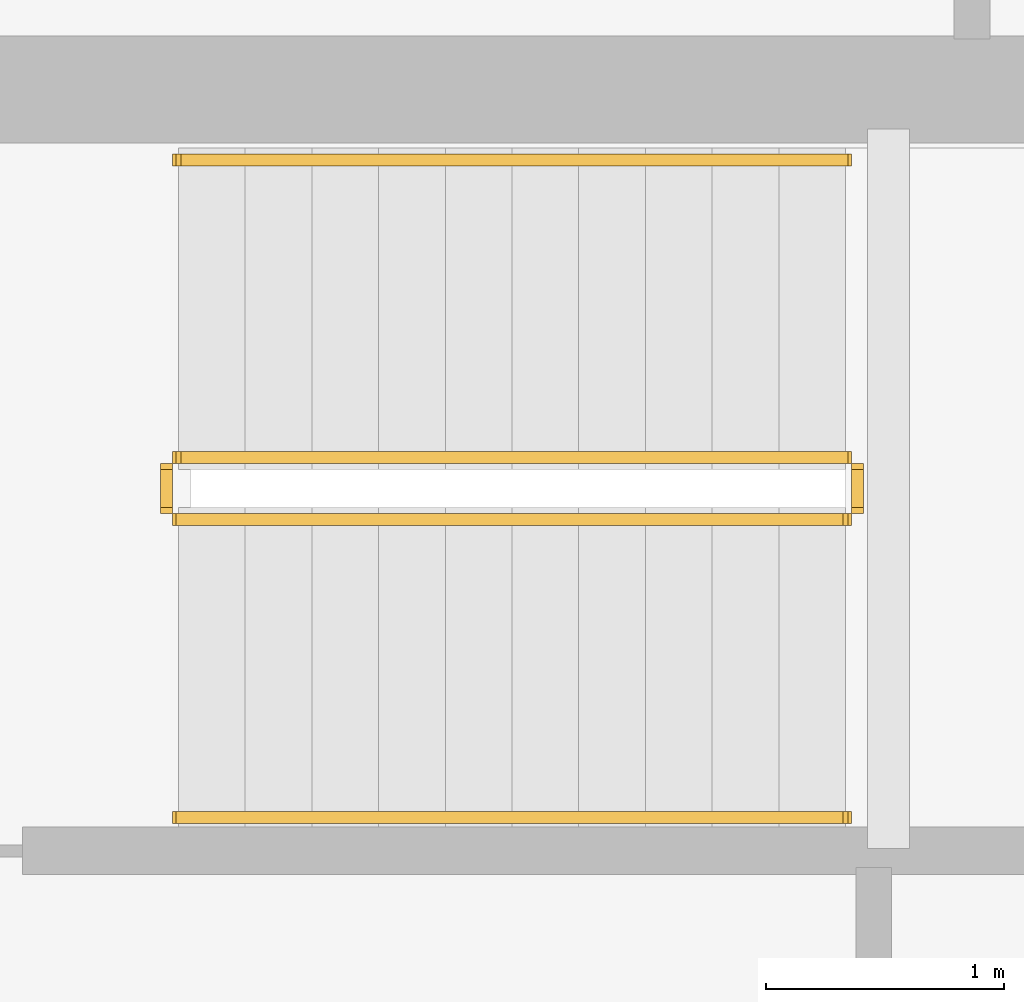
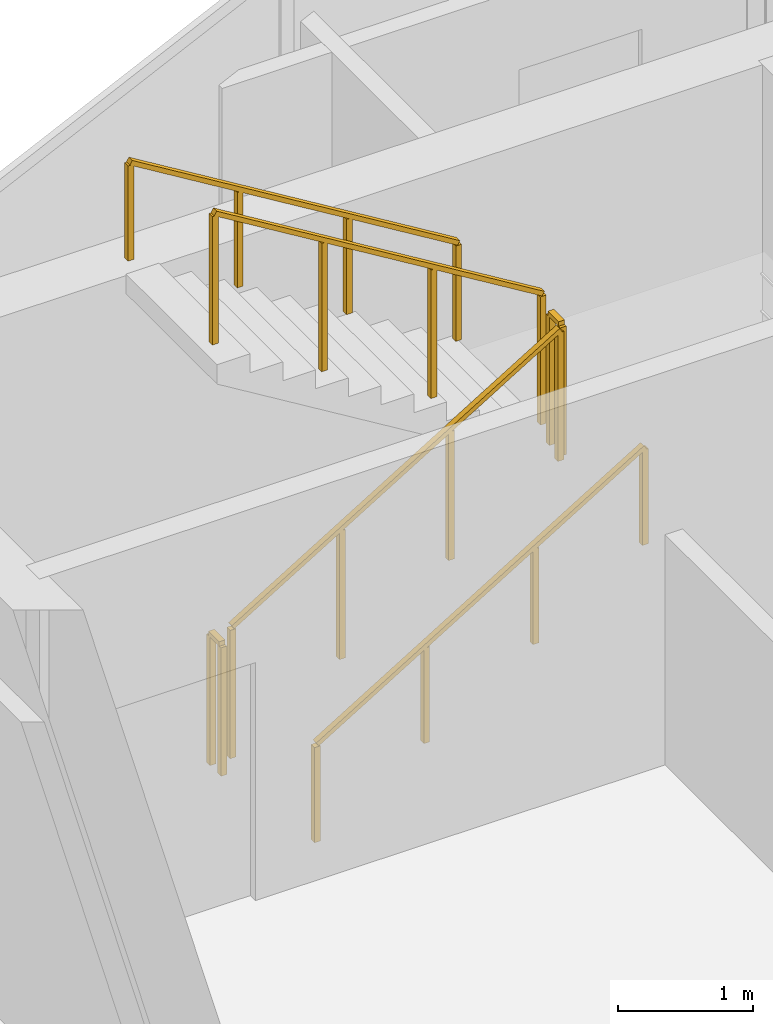
# One storey, part 16 of 16: 6 railings.
"""IFC4 building model written with IfcOpenShell, lengths in metres."""

from ifc_helpers import new_model, si_unit, direction, frame, origin, origin_2d, place, context, subcontext, project, spatial, rectangle, extrude, material, type_object, element, save


model = new_model("IFC4")

# Units and contexts
model_context = context("Model", 3, precision=1e-05, world=origin(), true_north=direction((0.0, 1.0)))
body_context = subcontext(model_context, "Body", "Model", "MODEL_VIEW")
ifc_project = project(units=[si_unit("LENGTHUNIT", "METRE"), si_unit("AREAUNIT", "SQUARE_METRE"), si_unit("VOLUMEUNIT", "CUBIC_METRE"), si_unit("PLANEANGLEUNIT", "RADIAN"), si_unit("MASSUNIT", "GRAM", prefix="KILO")], contexts=[model_context])

# Site, building, storey
site_placement = place(None, origin())
site = spatial("IfcSite", under=ifc_project, at=site_placement, CompositionType="ELEMENT")
building_placement = place(site_placement, origin())
building = spatial("IfcBuilding", under=site, at=building_placement, Name="Qianvela Tower", CompositionType="ELEMENT")
storey_placement = place(building_placement, frame((0.0, 0.0, 367.550048828125)))
storey = spatial("IfcBuildingStorey", under=building, at=storey_placement, Name="L95", CompositionType="ELEMENT", Elevation=367.550048828125)

# Railings
ifc_material_1 = material(Name="Painted Tubular Steel Q355B", Category="steel")
railing_type_1 = type_object("IfcRailingType", Name="RL-STAIR-GUARD-1200", PredefinedType="GUARDRAIL", material=ifc_material_1)
railing_1_placement = place(storey_placement, frame((32.199951171875, 30.840087890625, 0.17041015625)))
element("IfcRailing", 1, at=railing_1_placement, inside=storey, type_object=railing_type_1, Name="L95 ST-1 stair guard 1", PredefinedType="GUARDRAIL", context=body_context, shape_type="SweptSolid", body=[
    extrude(rectangle(XDim=0.050048828125, YDim=0.0400390625, at=origin_2d()), frame((0.0, 0.0, 1.179931640625), z_axis=(0.854169791009, 0.0, 0.51999420009), x_axis=(0.0, 1.0, 0.0)), (0.0, 0.0, 1.0), 3.278076171875),
    extrude(rectangle(XDim=0.050048828125, YDim=0.050048828125, at=origin_2d()), origin(), (0.0, 0.0, 1.0), 1.159912109375),
    extrude(rectangle(XDim=0.050048828125, YDim=0.050048828125, at=origin_2d()), frame((0.933349609375, 0.0, 0.568115234375)), (0.0, 0.0, 1.0), 1.159912109375),
    extrude(rectangle(XDim=0.050048828125, YDim=0.050048828125, at=origin_2d()), frame((1.86669921875, 0.0, 1.136474609375)), (0.0, 0.0, 1.0), 1.159912109375),
    extrude(rectangle(XDim=0.050048828125, YDim=0.050048828125, at=origin_2d()), frame((2.800048828125, 0.0, 1.70458984375)), (0.0, 0.0, 1.0), 1.159912109375),
])
railing_2_placement = place(storey_placement, frame((35.050048828125, 30.889892578125, 1.875)))
element("IfcRailing", 2, at=railing_2_placement, inside=storey, type_object=railing_type_1, Name="L95 ST-1 stair guard 2", PredefinedType="GUARDRAIL", context=body_context, shape_type="SweptSolid", body=[
    extrude(rectangle(XDim=0.050048828125, YDim=0.0400390625, at=origin_2d()), frame((0.0, 0.0, 1.179931640625), z_axis=(0.0, 1.0, 0.0), x_axis=(-1.0, 0.0, 0.0)), (0.0, 0.0, 1.0), 0.16015625),
    extrude(rectangle(XDim=0.050048828125, YDim=0.050048828125, at=origin_2d()), origin(), (0.0, 0.0, 1.0), 1.159912109375),
    extrude(rectangle(XDim=0.050048828125, YDim=0.050048828125, at=origin_2d()), frame((0.0, 0.16015625, 0.0)), (0.0, 0.0, 1.0), 1.159912109375),
])
railing_3_placement = place(storey_placement, frame((35.0, 31.10009765625, 2.04541015625)))
element("IfcRailing", 3, at=railing_3_placement, inside=storey, type_object=railing_type_1, Name="L95 ST-1 stair guard 3", PredefinedType="GUARDRAIL", context=body_context, shape_type="SweptSolid", body=[
    extrude(rectangle(XDim=0.050048828125, YDim=0.0400390625, at=origin_2d()), frame((0.0, 0.0, 1.179931640625), z_axis=(-0.854169791009, 0.0, 0.51999420009), x_axis=(0.0, -1.0, 0.0)), (0.0, 0.0, 1.0), 3.278076171875),
    extrude(rectangle(XDim=0.050048828125, YDim=0.050048828125, at=origin_2d()), origin(), (0.0, 0.0, 1.0), 1.159912109375),
    extrude(rectangle(XDim=0.050048828125, YDim=0.050048828125, at=origin_2d()), frame((-0.933349609375, 0.0, 0.568115234375)), (0.0, 0.0, 1.0), 1.159912109375),
    extrude(rectangle(XDim=0.050048828125, YDim=0.050048828125, at=origin_2d()), frame((-1.86669921875, 0.0, 1.136474609375)), (0.0, 0.0, 1.0), 1.159912109375),
    extrude(rectangle(XDim=0.050048828125, YDim=0.050048828125, at=origin_2d()), frame((-2.800048828125, 0.0, 1.70458984375)), (0.0, 0.0, 1.0), 1.159912109375),
])
railing_4_placement = place(storey_placement, frame((32.14990234375, 30.889892578125, 0.0)))
element("IfcRailing", 4, at=railing_4_placement, inside=storey, type_object=railing_type_1, Name="L95 ST-1 stair guard 4", PredefinedType="GUARDRAIL", context=body_context, shape_type="SweptSolid", body=[
    extrude(rectangle(XDim=0.050048828125, YDim=0.0400390625, at=origin_2d()), frame((0.0, 0.0, 1.179931640625), z_axis=(0.0, 1.0, 0.0), x_axis=(-1.0, 0.0, 0.0)), (0.0, 0.0, 1.0), 0.16015625),
    extrude(rectangle(XDim=0.050048828125, YDim=0.050048828125, at=origin_2d()), origin(), (0.0, 0.0, 1.0), 1.159912109375),
    extrude(rectangle(XDim=0.050048828125, YDim=0.050048828125, at=origin_2d()), frame((0.0, 0.16015625, 0.0)), (0.0, 0.0, 1.0), 1.159912109375),
])
ifc_material_2 = material(Name="Brushed Stainless Steel 304", Category="steel")
railing_type_2 = type_object("IfcRailingType", Name="RL-STAIR-HANDRAIL-900", PredefinedType="HANDRAIL", material=ifc_material_2)
railing_5_placement = place(storey_placement, frame((32.199951171875, 29.590087890625, 0.17041015625)))
element("IfcRailing", 5, at=railing_5_placement, inside=storey, type_object=railing_type_2, Name="L95 ST-1 stair handrail 1", PredefinedType="HANDRAIL", context=body_context, shape_type="SweptSolid", body=[
    extrude(rectangle(XDim=0.050048828125, YDim=0.0400390625, at=origin_2d()), frame((0.0, 0.0, 0.8798828125), z_axis=(0.854169791009, 0.0, 0.51999420009), x_axis=(0.0, 1.0, 0.0)), (0.0, 0.0, 1.0), 3.278076171875),
    extrude(rectangle(XDim=0.050048828125, YDim=0.050048828125, at=origin_2d()), origin(), (0.0, 0.0, 1.0), 0.85986328125),
    extrude(rectangle(XDim=0.050048828125, YDim=0.050048828125, at=origin_2d()), frame((0.933349609375, 0.0, 0.568115234375)), (0.0, 0.0, 1.0), 0.85986328125),
    extrude(rectangle(XDim=0.050048828125, YDim=0.050048828125, at=origin_2d()), frame((1.86669921875, 0.0, 1.136474609375)), (0.0, 0.0, 1.0), 0.85986328125),
    extrude(rectangle(XDim=0.050048828125, YDim=0.050048828125, at=origin_2d()), frame((2.800048828125, 0.0, 1.70458984375)), (0.0, 0.0, 1.0), 0.85986328125),
])
railing_6_placement = place(storey_placement, frame((35.0, 32.35009765625, 2.04541015625)))
element("IfcRailing", 6, at=railing_6_placement, inside=storey, type_object=railing_type_2, Name="L95 ST-1 stair handrail 2", PredefinedType="HANDRAIL", context=body_context, shape_type="SweptSolid", body=[
    extrude(rectangle(XDim=0.050048828125, YDim=0.0400390625, at=origin_2d()), frame((0.0, 0.0, 0.8798828125), z_axis=(-0.854169791009, 0.0, 0.51999420009), x_axis=(0.0, -1.0, 0.0)), (0.0, 0.0, 1.0), 3.278076171875),
    extrude(rectangle(XDim=0.050048828125, YDim=0.050048828125, at=origin_2d()), origin(), (0.0, 0.0, 1.0), 0.85986328125),
    extrude(rectangle(XDim=0.050048828125, YDim=0.050048828125, at=origin_2d()), frame((-0.933349609375, 0.0, 0.568115234375)), (0.0, 0.0, 1.0), 0.85986328125),
    extrude(rectangle(XDim=0.050048828125, YDim=0.050048828125, at=origin_2d()), frame((-1.86669921875, 0.0, 1.136474609375)), (0.0, 0.0, 1.0), 0.85986328125),
    extrude(rectangle(XDim=0.050048828125, YDim=0.050048828125, at=origin_2d()), frame((-2.800048828125, 0.0, 1.70458984375)), (0.0, 0.0, 1.0), 0.85986328125),
])

save(model, "model.ifc")
